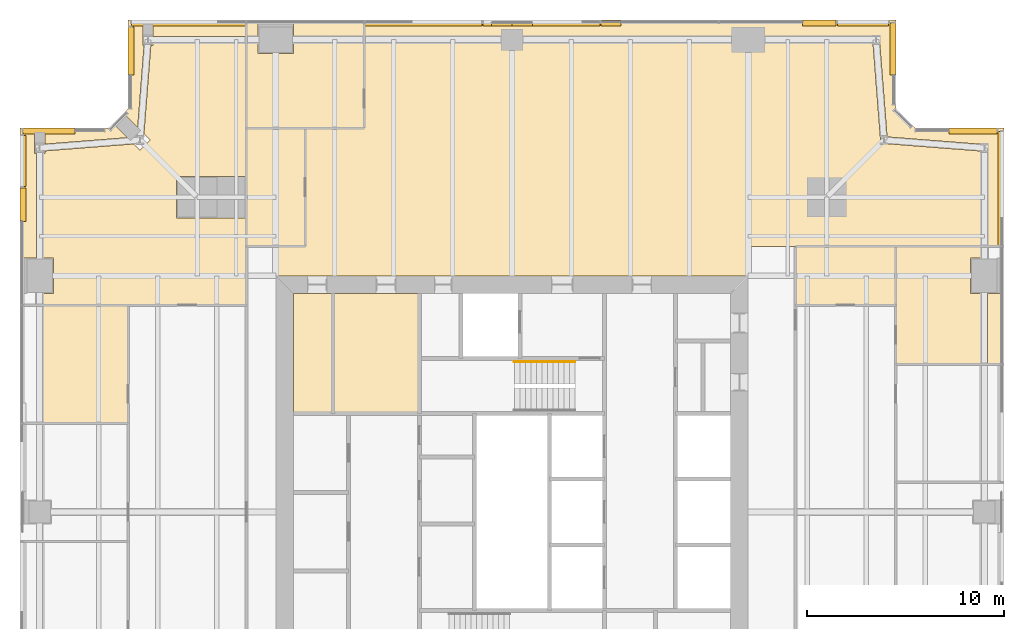
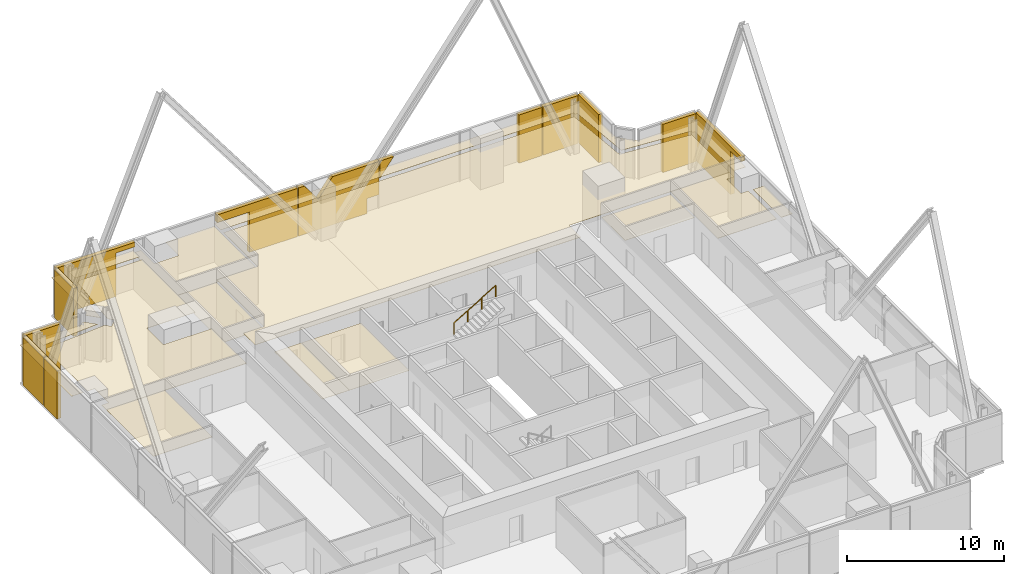
# One storey, part 14 of 14: 28 coverings, 1 railing.
"""IFC4 building model written with IfcOpenShell, lengths in metres."""

from ifc_helpers import new_model, si_unit, direction, frame, origin, origin_2d, place, context, subcontext, project, spatial, polyline, circle, outline, extrude, material, layer, layer_set, type_object, element, save


model = new_model("IFC4")

# Units and contexts
model_context = context("Model", 3, precision=1e-05, world=origin(), true_north=direction((0.0, 1.0)))
body_context = subcontext(model_context, "Body", "Model", "MODEL_VIEW")
ifc_project = project(units=[si_unit("LENGTHUNIT", "METRE"), si_unit("AREAUNIT", "SQUARE_METRE"), si_unit("VOLUMEUNIT", "CUBIC_METRE"), si_unit("PLANEANGLEUNIT", "RADIAN"), si_unit("MASSUNIT", "GRAM", prefix="KILO")], contexts=[model_context])

# Site, building, storey
site_placement = place(None, origin())
site = spatial("IfcSite", under=ifc_project, at=site_placement, CompositionType="ELEMENT")
building_placement = place(site_placement, origin())
building = spatial("IfcBuilding", under=site, at=building_placement, Name="Fenwick Lantern Interchange", CompositionType="ELEMENT")
storey_placement = place(building_placement, frame((0.0, 0.0, 217.800048828125)))
storey = spatial("IfcBuildingStorey", under=building, at=storey_placement, Name="L51", CompositionType="ELEMENT", Elevation=217.800048828125)

# Coverings
ifc_material_1 = material(Name="Mineral fibre acoustic tile on suspended grid")
ifc_layer_1 = layer(ifc_material_1, 0.02001953125)
ifc_layer_set_1 = layer_set([ifc_layer_1], Name="ACOUSTIC TILE CEILING 20")
covering_type_1 = type_object("IfcCoveringType", Name="ACOUSTIC TILE CEILING 20", PredefinedType="CEILING", material=ifc_layer_set_1)
covering_1_placement = place(storey_placement, frame((0.0, 0.0, 2.89990234375)))
element("IfcCovering", 1, at=covering_1_placement, inside=storey, type_object=covering_type_1, Name="Office ceiling", PredefinedType="CEILING", context=body_context, shape_type="SweptSolid", body=[
    extrude(outline(polyline([(44.5, 32.5), (48.82763671875, 32.5), (48.82763671875, 36.10009765625), (48.300048828125, 36.10009765625), (48.300048828125, 37.89990234375), (48.82763671875, 37.89990234375), (48.82763671875, 38.5), (44.5, 38.5), (44.5, 32.5)])), origin(), (0.0, 0.0, 1.0), 0.02001953125),
])
covering_2_placement = place(storey_placement, frame((0.0, 0.0, 2.89990234375)))
element("IfcCovering", 2, at=covering_2_placement, inside=storey, type_object=covering_type_1, Name="Office ceiling", PredefinedType="CEILING", context=body_context, shape_type="SweptSolid", body=[
    extrude(outline(polyline([(49.17236328125, 32.5), (50.0, 32.5), (50.0, 36.10009765625), (49.17236328125, 36.10009765625), (49.17236328125, 32.5)])), origin(), (0.0, 0.0, 1.0), 0.02001953125),
])
covering_3_placement = place(storey_placement, frame((0.0, 0.0, 2.89990234375)))
element("IfcCovering", 3, at=covering_3_placement, inside=storey, type_object=covering_type_1, Name="Open office ceiling", PredefinedType="CEILING", context=body_context, shape_type="SweptSolid", body=[
    extrude(outline(polyline([(37.0, 38.5), (48.82763671875, 38.5), (48.82763671875, 43.340576171875), (43.886474609375, 43.72802734375), (43.89990234375, 43.89990234375), (43.72802734375, 43.886474609375), (43.340576171875, 48.82763671875), (37.0, 48.82763671875), (25.0, 48.82763671875), (17.5, 48.82763671875), (17.5, 44.5), (14.5, 44.5), (14.5, 38.5), (13.0, 38.5), (13.0, 37.0), (37.0, 37.0), (37.0, 38.5)])), origin(), (0.0, 0.0, 1.0), 0.02001953125),
])
covering_4_placement = place(storey_placement, frame((0.0, 0.0, 2.89990234375)))
element("IfcCovering", 4, at=covering_4_placement, inside=storey, type_object=covering_type_1, Name="Open office ceiling", PredefinedType="CEILING", context=body_context, shape_type="SweptSolid", body=[
    extrude(outline(polyline([(44.5, 45.5), (44.5, 50.0), (17.5, 50.0), (17.5, 49.17236328125), (25.0, 49.17236328125), (37.0, 49.17236328125), (43.5, 49.17236328125), (43.5, 49.0), (43.671875, 49.013427734375), (44.060302734375, 44.060302734375), (49.013427734375, 43.671875), (49.0, 43.5), (49.17236328125, 43.5), (49.17236328125, 38.5), (50.0, 38.5), (50.0, 44.5), (45.5, 44.5), (44.5, 45.5)])), origin(), (0.0, 0.0, 1.0), 0.02001953125),
])
covering_5_placement = place(storey_placement, frame((0.0, 0.0, 2.699951171875)))
element("IfcCovering", 5, at=covering_5_placement, inside=storey, type_object=covering_type_1, Name="Quiet room ceiling", PredefinedType="CEILING", context=body_context, shape_type="SweptSolid", body=[
    extrude(outline(polyline([(17.5, 50.0), (13.89990234375, 50.0), (13.89990234375, 48.300048828125), (12.10009765625, 48.300048828125), (12.10009765625, 50.0), (11.5, 50.0), (11.5, 44.5), (17.5, 44.5), (17.5, 50.0)])), origin(), (0.0, 0.0, 1.0), 0.02001953125),
])
covering_6_placement = place(storey_placement, frame((0.0, 0.0, 2.89990234375)))
element("IfcCovering", 6, at=covering_6_placement, inside=storey, type_object=covering_type_1, Name="Office ceiling", PredefinedType="CEILING", context=body_context, shape_type="SweptSolid", body=[
    extrude(outline(polyline([(6.76220703125, 48.71240234375), (6.650390625, 48.71240234375), (6.298095703125, 44.22216796875), (6.620361328125, 43.89990234375), (6.10009765625, 43.379638671875), (5.77783203125, 43.701904296875), (1.26220703125, 43.34765625), (1.26220703125, 43.21240234375), (1.17236328125, 43.21240234375), (1.17236328125, 37.89990234375), (1.699951171875, 37.89990234375), (1.699951171875, 36.10009765625), (1.17236328125, 36.10009765625), (1.17236328125, 35.5), (11.5, 35.5), (11.5, 39.949951171875), (7.949951171875, 39.949951171875), (7.949951171875, 42.050048828125), (11.5, 42.050048828125), (11.5, 48.82763671875), (6.76220703125, 48.82763671875), (6.76220703125, 48.71240234375)])), origin(), (0.0, 0.0, 1.0), 0.02001953125),
])
covering_7_placement = place(storey_placement, frame((0.0, 0.0, 2.89990234375)))
element("IfcCovering", 7, at=covering_7_placement, inside=storey, type_object=covering_type_1, Name="Office ceiling", PredefinedType="CEILING", context=body_context, shape_type="SweptSolid", body=[
    extrude(outline(polyline([(0.0, 37.89990234375), (0.82763671875, 37.89990234375), (0.82763671875, 43.21240234375), (0.73779296875, 43.21240234375), (0.73779296875, 44.5), (0.0, 44.5), (0.0, 37.89990234375)])), origin(), (0.0, 0.0, 1.0), 0.02001953125),
])
covering_8_placement = place(storey_placement, frame((0.0, 0.0, 2.89990234375)))
element("IfcCovering", 8, at=covering_8_placement, inside=storey, type_object=covering_type_1, Name="Office ceiling", PredefinedType="CEILING", context=body_context, shape_type="SweptSolid", body=[
    extrude(outline(polyline([(6.76220703125, 50.0), (6.76220703125, 49.17236328125), (11.5, 49.17236328125), (11.5, 50.0), (6.76220703125, 50.0)])), origin(), (0.0, 0.0, 1.0), 0.02001953125),
])
covering_9_placement = place(storey_placement, frame((0.0, 0.0, 2.89990234375)))
element("IfcCovering", 9, at=covering_9_placement, inside=storey, type_object=covering_type_1, Name="Office ceiling", PredefinedType="CEILING", context=body_context, shape_type="SweptSolid", body=[
    extrude(outline(polyline([(6.304443359375, 48.71240234375), (6.23779296875, 48.71240234375), (6.23779296875, 50.0), (5.5, 50.0), (5.5, 45.5), (5.26025390625, 45.26025390625), (5.9775390625, 44.542724609375), (6.304443359375, 48.71240234375)])), origin(), (0.0, 0.0, 1.0), 0.02001953125),
])
covering_10_placement = place(storey_placement, frame((0.0, 0.0, 2.89990234375)))
element("IfcCovering", 10, at=covering_10_placement, inside=storey, type_object=covering_type_1, Name="Office ceiling", PredefinedType="CEILING", context=body_context, shape_type="SweptSolid", body=[
    extrude(outline(polyline([(1.26220703125, 44.5), (1.26220703125, 43.693603515625), (5.457275390625, 44.0224609375), (4.73974609375, 44.73974609375), (4.5, 44.5), (1.26220703125, 44.5)])), origin(), (0.0, 0.0, 1.0), 0.02001953125),
])
covering_11_placement = place(storey_placement, frame((0.0, 0.0, 2.89990234375)))
element("IfcCovering", 11, at=covering_11_placement, inside=storey, type_object=covering_type_1, Name="Office ceiling", PredefinedType="CEILING", context=body_context, shape_type="SweptSolid", body=[
    extrude(outline(polyline([(5.5, 35.5), (1.17236328125, 35.5), (1.17236328125, 29.5), (5.5, 29.5), (5.5, 35.5)])), origin(), (0.0, 0.0, 1.0), 0.02001953125),
])
ifc_material_2 = material(Name="Granite cladding, warm grey flamed finish, on aluminium carrier frame", Category="masonry")
ifc_layer_2 = layer(ifc_material_2, 0.300048828125)
ifc_layer_set_2 = layer_set([ifc_layer_2], Name="BRACE CASING PANEL 300")
covering_type_2 = type_object("IfcCoveringType", Name="BRACE CASING PANEL 300", PredefinedType="CLADDING", material=ifc_layer_set_2)
covering_12_placement = place(storey_placement, frame((49.89990234375, 5.60009765625, 0.0), z_axis=(0.0, 0.0, 1.0), x_axis=(0.0, 1.0, 0.0)))
element("IfcCovering", 12, at=covering_12_placement, inside=storey, type_object=covering_type_2, Name="Brace casing 05 bay 06a", PredefinedType="CLADDING", context=body_context, shape_type="SweptSolid", body=[
    extrude(outline(polyline([(34.317626953125, 0.0), (38.735107421875, 0.0), (38.735107421875, 3.75), (32.9326171875, 3.75), (32.9326171875, 3.39599609375), (34.317626953125, 3.39599609375), (34.317626953125, 0.0)])), frame((0.0, 0.2001953125, 0.0), z_axis=(0.0, -1.0, 0.0), x_axis=(1.0, 0.0, 0.0)), (0.0, 0.0, 1.0), 0.300048828125),
])
covering_13_placement = place(storey_placement, frame((49.89990234375, 44.39990234375, 0.0), z_axis=(0.0, 0.0, 1.0), x_axis=(-1.0, 0.0, 0.0)))
element("IfcCovering", 13, at=covering_13_placement, inside=storey, type_object=covering_type_2, Name="Brace casing 06 bay 00a", PredefinedType="CLADDING", context=body_context, shape_type="SweptSolid", body=[
    extrude(outline(polyline([(0.264892578125, 0.0), (2.699951171875, 0.0), (2.699951171875, 3.75), (0.264892578125, 3.75), (0.264892578125, 0.0)])), frame((0.0, 0.2001953125, 0.0), z_axis=(0.0, -1.0, 0.0), x_axis=(1.0, 0.0, 0.0)), (0.0, 0.0, 1.0), 0.300048828125),
])
covering_14_placement = place(storey_placement, frame((44.39990234375, 45.45849609375, 0.0), z_axis=(0.0, 0.0, 1.0), x_axis=(0.0, 1.0, 0.0)))
element("IfcCovering", 14, at=covering_14_placement, inside=storey, type_object=covering_type_2, Name="Brace casing 08 bay 00a", PredefinedType="CLADDING", context=body_context, shape_type="SweptSolid", body=[
    extrude(outline(polyline([(1.741455078125, 0.0), (4.37646484375, 0.0), (4.37646484375, 3.75), (1.741455078125, 3.75), (1.741455078125, 0.0)])), frame((0.0, 0.2001953125, 0.0), z_axis=(0.0, -1.0, 0.0), x_axis=(1.0, 0.0, 0.0)), (0.0, 0.0, 1.0), 0.300048828125),
])
covering_15_placement = place(storey_placement, frame((44.39990234375, 49.89990234375, 0.0), z_axis=(0.0, 0.0, 1.0), x_axis=(-1.0, 0.0, 0.0)))
element("IfcCovering", 15, at=covering_15_placement, inside=storey, type_object=covering_type_2, Name="Brace casing 09 bay 00a", PredefinedType="CLADDING", context=body_context, shape_type="SweptSolid", body=[
    extrude(outline(polyline([(0.264892578125, 0.0), (2.867431640625, 0.0), (2.867431640625, 3.75), (0.264892578125, 3.75), (0.264892578125, 0.0)])), frame((0.0, 0.2001953125, 0.0), z_axis=(0.0, -1.0, 0.0), x_axis=(1.0, 0.0, 0.0)), (0.0, 0.0, 1.0), 0.300048828125),
])
covering_16_placement = place(storey_placement, frame((44.39990234375, 49.89990234375, 0.0), z_axis=(0.0, 0.0, 1.0), x_axis=(-1.0, 0.0, 0.0)))
element("IfcCovering", 16, at=covering_16_placement, inside=storey, type_object=covering_type_2, Name="Brace casing 09 bay 01a", PredefinedType="CLADDING", context=body_context, shape_type="SweptSolid", body=[
    extrude(outline(polyline([(2.9326171875, 0.0), (4.6279296875, 0.0), (4.6279296875, 3.75), (2.9326171875, 3.75), (2.9326171875, 0.0)])), frame((0.0, 0.2001953125, 0.0), z_axis=(0.0, -1.0, 0.0), x_axis=(1.0, 0.0, 0.0)), (0.0, 0.0, 1.0), 0.300048828125),
])
covering_17_placement = place(storey_placement, frame((44.39990234375, 49.89990234375, 2.40771484375), z_axis=(0.0, 0.0, 1.0), x_axis=(-1.0, 0.0, 0.0)))
element("IfcCovering", 17, at=covering_17_placement, inside=storey, type_object=covering_type_2, Name="Brace casing 09 bay 02a", PredefinedType="CLADDING", context=body_context, shape_type="SweptSolid", body=[
    extrude(outline(polyline([(14.867431640625, 0.0), (14.867431640625, 1.34228515625), (13.853515625, 1.34228515625), (14.867431640625, 0.0)])), frame((0.0, 0.2001953125, 0.0), z_axis=(0.0, -1.0, 0.0), x_axis=(1.0, 0.0, 0.0)), (0.0, 0.0, 1.0), 0.300048828125),
])
covering_18_placement = place(storey_placement, frame((44.39990234375, 49.89990234375, 0.0), z_axis=(0.0, 0.0, 1.0), x_axis=(-1.0, 0.0, 0.0)))
element("IfcCovering", 18, at=covering_18_placement, inside=storey, type_object=covering_type_2, Name="Brace casing 09 bay 03a", PredefinedType="CLADDING", context=body_context, shape_type="SweptSolid", body=[
    extrude(outline(polyline([(15.8076171875, 0.0), (20.867431640625, 0.0), (20.867431640625, 3.75), (20.434814453125, 3.75), (19.39990234375, 2.380126953125), (18.365234375, 3.75), (14.9326171875, 3.75), (14.9326171875, 1.163330078125), (15.8076171875, 1.163330078125), (15.8076171875, 0.0)])), frame((0.0, 0.2001953125, 0.0), z_axis=(0.0, -1.0, 0.0), x_axis=(1.0, 0.0, 0.0)), (0.0, 0.0, 1.0), 0.300048828125),
])
covering_19_placement = place(storey_placement, frame((44.39990234375, 49.89990234375, 0.0), z_axis=(0.0, 0.0, 1.0), x_axis=(-1.0, 0.0, 0.0)))
element("IfcCovering", 19, at=covering_19_placement, inside=storey, type_object=covering_type_2, Name="Brace casing 09 bay 04a", PredefinedType="CLADDING", context=body_context, shape_type="SweptSolid", body=[
    extrude(outline(polyline([(20.9326171875, 0.0), (24.48876953125, 0.0), (24.48876953125, 3.143798828125), (26.867431640625, 3.143798828125), (26.867431640625, 3.75), (20.9326171875, 3.75), (20.9326171875, 0.0)])), frame((0.0, 0.2001953125, 0.0), z_axis=(0.0, -1.0, 0.0), x_axis=(1.0, 0.0, 0.0)), (0.0, 0.0, 1.0), 0.300048828125),
])
covering_20_placement = place(storey_placement, frame((44.39990234375, 49.89990234375, 0.0), z_axis=(0.0, 0.0, 1.0), x_axis=(-1.0, 0.0, 0.0)))
element("IfcCovering", 20, at=covering_20_placement, inside=storey, type_object=covering_type_2, Name="Brace casing 09 bay 06a", PredefinedType="CLADDING", context=body_context, shape_type="SweptSolid", body=[
    extrude(outline(polyline([(34.317626953125, 0.0), (38.735107421875, 0.0), (38.735107421875, 3.75), (32.9326171875, 3.75), (32.9326171875, 3.39599609375), (34.317626953125, 3.39599609375), (34.317626953125, 0.0)])), frame((0.0, 0.2001953125, 0.0), z_axis=(0.0, -1.0, 0.0), x_axis=(1.0, 0.0, 0.0)), (0.0, 0.0, 1.0), 0.300048828125),
])
covering_21_placement = place(storey_placement, frame((5.60009765625, 49.89990234375, 0.0), z_axis=(0.0, 0.0, 1.0), x_axis=(0.0, -1.0, 0.0)))
element("IfcCovering", 21, at=covering_21_placement, inside=storey, type_object=covering_type_2, Name="Brace casing 10 bay 00a", PredefinedType="CLADDING", context=body_context, shape_type="SweptSolid", body=[
    extrude(outline(polyline([(0.264892578125, 0.0), (2.699951171875, 0.0), (2.699951171875, 3.75), (0.264892578125, 3.75), (0.264892578125, 0.0)])), frame((0.0, 0.2001953125, 0.0), z_axis=(0.0, -1.0, 0.0), x_axis=(1.0, 0.0, 0.0)), (0.0, 0.0, 1.0), 0.300048828125),
])
covering_22_placement = place(storey_placement, frame((4.54150390625, 44.39990234375, 0.0), z_axis=(0.0, 0.0, 1.0), x_axis=(-1.0, 0.0, 0.0)))
element("IfcCovering", 22, at=covering_22_placement, inside=storey, type_object=covering_type_2, Name="Brace casing 12 bay 00a", PredefinedType="CLADDING", context=body_context, shape_type="SweptSolid", body=[
    extrude(outline(polyline([(1.741455078125, 0.0), (4.37646484375, 0.0), (4.37646484375, 3.75), (1.741455078125, 3.75), (1.741455078125, 0.0)])), frame((0.0, 0.2001953125, 0.0), z_axis=(0.0, -1.0, 0.0), x_axis=(1.0, 0.0, 0.0)), (0.0, 0.0, 1.0), 0.300048828125),
])
covering_23_placement = place(storey_placement, frame((0.10009765625, 44.39990234375, 0.0), z_axis=(0.0, 0.0, 1.0), x_axis=(0.0, -1.0, 0.0)))
element("IfcCovering", 23, at=covering_23_placement, inside=storey, type_object=covering_type_2, Name="Brace casing 13 bay 00a", PredefinedType="CLADDING", context=body_context, shape_type="SweptSolid", body=[
    extrude(outline(polyline([(0.264892578125, 0.0), (2.867431640625, 0.0), (2.867431640625, 3.75), (0.264892578125, 3.75), (0.264892578125, 0.0)])), frame((0.0, 0.2001953125, 0.0), z_axis=(0.0, -1.0, 0.0), x_axis=(1.0, 0.0, 0.0)), (0.0, 0.0, 1.0), 0.300048828125),
])
covering_24_placement = place(storey_placement, frame((0.10009765625, 44.39990234375, 0.0), z_axis=(0.0, 0.0, 1.0), x_axis=(0.0, -1.0, 0.0)))
element("IfcCovering", 24, at=covering_24_placement, inside=storey, type_object=covering_type_2, Name="Brace casing 13 bay 01a", PredefinedType="CLADDING", context=body_context, shape_type="SweptSolid", body=[
    extrude(outline(polyline([(2.9326171875, 0.0), (4.6279296875, 0.0), (4.6279296875, 3.75), (2.9326171875, 3.75), (2.9326171875, 0.0)])), frame((0.0, 0.2001953125, 0.0), z_axis=(0.0, -1.0, 0.0), x_axis=(1.0, 0.0, 0.0)), (0.0, 0.0, 1.0), 0.300048828125),
])

# Railing
ifc_material_3 = material(Name="Stainless steel handrail", Category="steel")
railing_type = type_object("IfcRailingType", Name="HANDRAIL 900", PredefinedType="HANDRAIL", material=ifc_material_3)
railing_placement = place(storey_placement, frame((25.1201171875, 32.6259765625, 2.16650390625)))
element("IfcRailing", 25, at=railing_placement, inside=storey, type_object=railing_type, Name="L51/STAIR/ST2/HR2", PredefinedType="HANDRAIL", context=body_context, shape_type="SweptSolid", body=[
    extrude(circle(Radius=0.02392578125, at=origin_2d()), frame((0.0, 0.0, 0.8759765625), z_axis=(0.859260807169, 0.0, 0.511537745687), x_axis=(0.0, 1.0, 0.0)), (0.0, 0.0, 1.0), 3.584228515625),
    extrude(circle(Radius=0.02099609375, at=origin_2d()), origin(), (0.0, 0.0, 1.0), 0.851806640625),
    extrude(circle(Radius=0.02099609375, at=origin_2d()), frame((1.026611328125, 0.0, 0.611083984375)), (0.0, 0.0, 1.0), 0.851806640625),
    extrude(circle(Radius=0.02099609375, at=origin_2d()), frame((2.05322265625, 0.0, 1.222412109375)), (0.0, 0.0, 1.0), 0.851806640625),
    extrude(circle(Radius=0.02099609375, at=origin_2d()), frame((3.079833984375, 0.0, 1.83349609375)), (0.0, 0.0, 1.0), 0.851806640625),
])

# Coverings
ifc_material_4 = material(Name="Moisture resistant gypsum board on suspended frame, painted")
ifc_layer_3 = layer(ifc_material_4, 0.014892578125)
ifc_layer_set_3 = layer_set([ifc_layer_3], Name="MOISTURE RESISTANT CEILING 15")
covering_type_3 = type_object("IfcCoveringType", Name="MOISTURE RESISTANT CEILING 15", PredefinedType="CEILING", material=ifc_layer_set_3)
covering_25_placement = place(storey_placement, frame((0.0, 0.0, 2.599853515625)))
element("IfcCovering", 26, at=covering_25_placement, inside=storey, type_object=covering_type_3, Name="Women's WC ceiling", PredefinedType="CEILING", context=body_context, shape_type="SweptSolid", body=[
    extrude(outline(polyline([(20.300048828125, 36.10009765625), (15.89990234375, 36.10009765625), (15.89990234375, 30.0), (20.300048828125, 30.0), (20.300048828125, 36.10009765625)])), origin(), (0.0, 0.0, 1.0), 0.01513671875),
])
covering_26_placement = place(storey_placement, frame((0.0, 0.0, 2.599853515625)))
element("IfcCovering", 27, at=covering_26_placement, inside=storey, type_object=covering_type_3, Name="Men's WC ceiling", PredefinedType="CEILING", context=body_context, shape_type="SweptSolid", body=[
    extrude(outline(polyline([(15.89990234375, 36.10009765625), (13.89990234375, 36.10009765625), (13.89990234375, 30.0), (15.89990234375, 30.0), (15.89990234375, 36.10009765625)])), origin(), (0.0, 0.0, 1.0), 0.01513671875),
])
covering_27_placement = place(storey_placement, frame((0.0, 0.0, 2.699951171875)))
element("IfcCovering", 28, at=covering_27_placement, inside=storey, type_object=covering_type_3, Name="Pantry ceiling", PredefinedType="CEILING", context=body_context, shape_type="SweptSolid", body=[
    extrude(outline(polyline([(14.5, 44.5), (11.5, 44.5), (11.5, 38.5), (14.5, 38.5), (14.5, 44.5)])), origin(), (0.0, 0.0, 1.0), 0.014892578125),
])
ifc_material_5 = material(Name="Gypsum plasterboard on suspended frame, painted")
ifc_layer_4 = layer(ifc_material_5, 0.014892578125)
ifc_layer_set_4 = layer_set([ifc_layer_4], Name="PLASTERBOARD CEILING 15")
covering_type_4 = type_object("IfcCoveringType", Name="PLASTERBOARD CEILING 15", PredefinedType="CEILING", material=ifc_layer_set_4)
covering_28_placement = place(storey_placement, frame((0.0, 0.0, 2.699951171875)))
element("IfcCovering", 29, at=covering_28_placement, inside=storey, type_object=covering_type_4, Name="Wellness room ceiling", PredefinedType="CEILING", context=body_context, shape_type="SweptSolid", body=[
    extrude(outline(polyline([(44.5, 35.5), (44.5, 38.5), (39.39990234375, 38.5), (39.39990234375, 35.5), (44.5, 35.5)])), origin(), (0.0, 0.0, 1.0), 0.014892578125),
])

save(model, "model.ifc")
